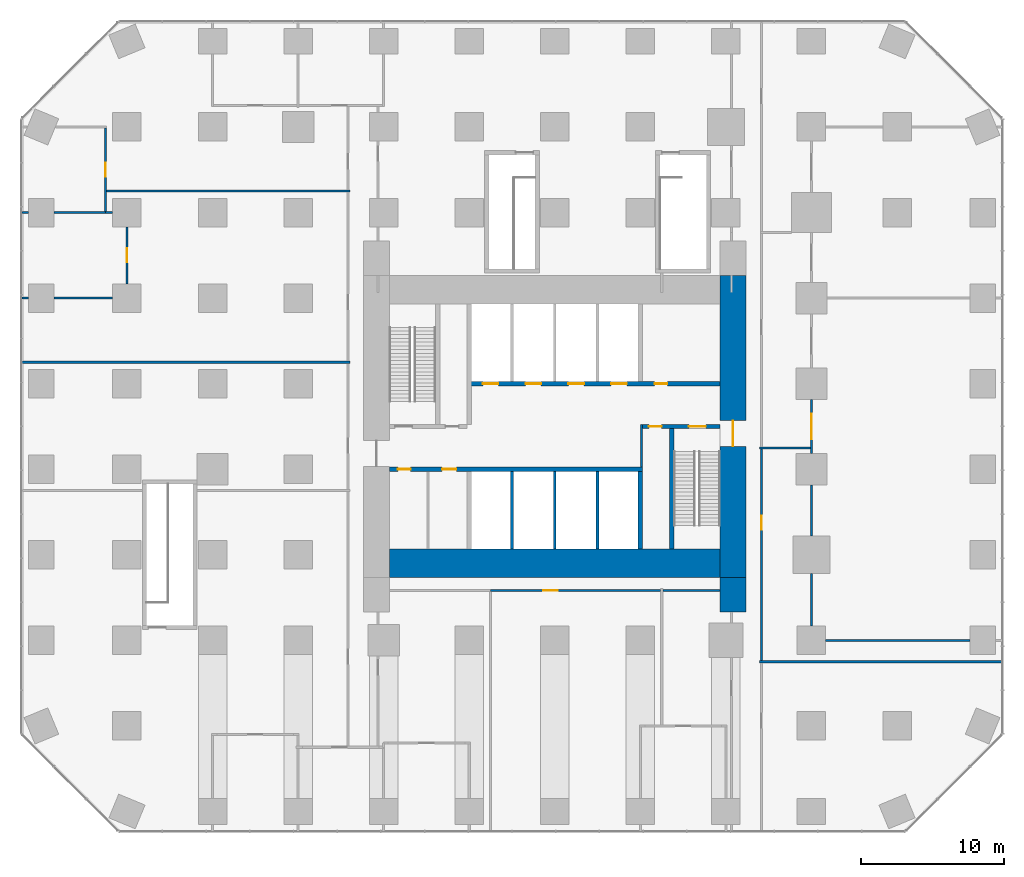
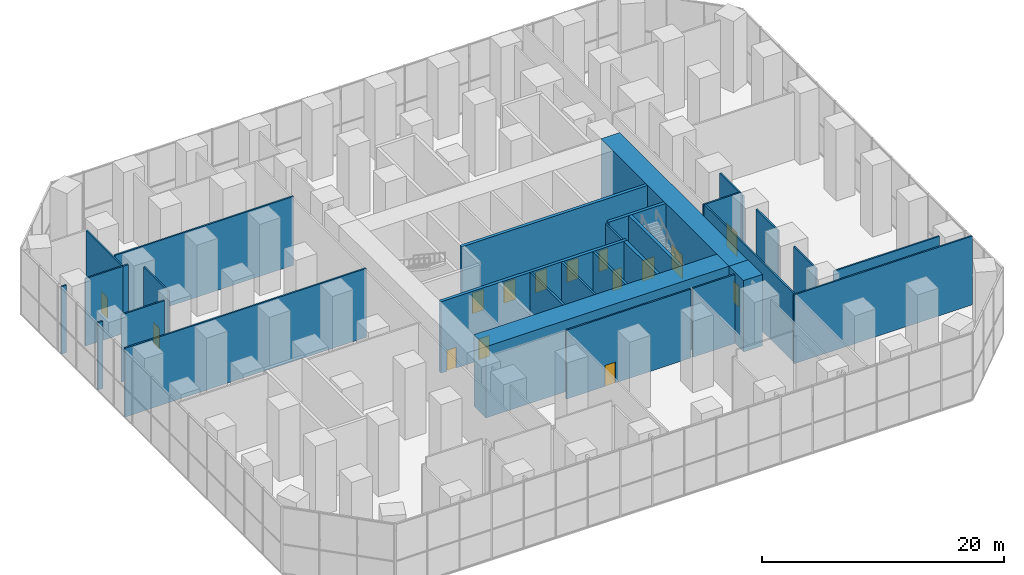
# One storey, part 13 of 16: 30 walls, 15 doors, 15 openings.
"""IFC4 building model written with IfcOpenShell, lengths in metres."""

from ifc_helpers import new_model, si_unit, direction, frame, frame_2d, origin, place, context, subcontext, project, spatial, rectangle, extrude, material, layer, layer_set, type_object, element, fill, save


model = new_model("IFC4")

# Units and contexts
model_context = context("Model", 3, precision=1e-05, world=origin(), true_north=direction((0.0, 1.0)))
body_context = subcontext(model_context, "Body", "Model", "MODEL_VIEW")
ifc_project = project(units=[si_unit("LENGTHUNIT", "METRE"), si_unit("AREAUNIT", "SQUARE_METRE"), si_unit("VOLUMEUNIT", "CUBIC_METRE"), si_unit("PLANEANGLEUNIT", "RADIAN"), si_unit("MASSUNIT", "GRAM", prefix="KILO")], contexts=[model_context])

# Site, building, storey
site_placement = place(None, origin())
site = spatial("IfcSite", under=ifc_project, at=site_placement, CompositionType="ELEMENT")
building_placement = place(site_placement, origin())
building = spatial("IfcBuilding", under=site, at=building_placement, Name="Highveld Stack Headquarters", CompositionType="ELEMENT")
storey_placement = place(building_placement, frame((0.0, 0.0, 11.0)))
storey = spatial("IfcBuildingStorey", under=building, at=storey_placement, Name="L02", CompositionType="ELEMENT", Elevation=11.0)

# Wall, opening, door
ifc_material_1 = material(Name="Concrete C60/75", Category="concrete")
ifc_layer_1 = layer(ifc_material_1, 1.800048828125)
ifc_layer_set_1 = layer_set([ifc_layer_1], Name="Concrete C60/75")
wall_type_1 = type_object("IfcWallType", Name="CORE WALL 1800 C60/75", PredefinedType="SHEAR", material=ifc_layer_set_1)
wall_1_placement = place(storey_placement, frame((18.5, -7.60009765625, 0.0), z_axis=(0.0, 0.0, 1.0), x_axis=(0.0, 1.0, 0.0)))
wall_1 = element("IfcWall", 1, at=wall_1_placement, inside=storey, type_object=wall_type_1, Name="Core wall E L02", PredefinedType="SHEAR", context=body_context, shape_type="SweptSolid", body=[
    extrude(rectangle(XDim=21.2001953125, YDim=1.800048828125, at=frame_2d((10.60009765625, 0.0))), origin(), (0.0, 0.0, 1.0), 7.199951171875),
])
opening_1_placement = place(wall_1_placement, frame((9.199951171875, 0.0, 0.0)))
opening_1 = element("IfcOpeningElement", 2, at=opening_1_placement, cuts=wall_1, Name="Opening L02-02", PredefinedType="OPENING", context=body_context, shape_type="SweptSolid", body=[
    extrude(rectangle(XDim=1.800048828125, YDim=2.39990234375, at=frame_2d((0.89990234375, 1.199951171875))), frame((0.0, 0.909912109375, 0.0), z_axis=(0.0, -1.0, 0.0), x_axis=(1.0, 0.0, 0.0)), (0.0, 0.0, 1.0), 1.820068359375),
])
ifc_material_2 = material(Name="Steel fire door", Category="steel")
door_type_1 = type_object("IfcDoorType", Name="LOBBY FIRE DOOR D4 1800x2400", OperationType="DOUBLE_DOOR_SINGLE_SWING", PredefinedType="DOOR", material=ifc_material_2)
door_1_placement = place(opening_1_placement, origin())
door_1 = element("IfcDoor", 3, at=door_1_placement, inside=storey, type_object=door_type_1, Name="Core east door L02", OperationType="DOUBLE_DOOR_SINGLE_SWING", OverallHeight=2.39990234375, OverallWidth=1.800048828125, PredefinedType="DOOR", context=body_context, shape_type="SweptSolid", body=[
    extrude(rectangle(XDim=1.800048828125, YDim=2.39990234375, at=frame_2d((0.89990234375, 1.199951171875))), frame((0.0, 0.02490234375, 0.0), z_axis=(0.0, -1.0, 0.0), x_axis=(1.0, 0.0, 0.0)), (0.0, 0.0, 1.0), 0.050048828125),
])
fill(opening_1, door_1)

# Wall
ifc_material_3 = material(Name="Concrete C60/75", Category="concrete")
ifc_layer_2 = layer(ifc_material_3, 2.0)
ifc_layer_set_2 = layer_set([ifc_layer_2], Name="Concrete C60/75")
wall_type_2 = type_object("IfcWallType", Name="CORE WALL 2000 C60/75", PredefinedType="SHEAR", material=ifc_layer_set_2)
wall_2_placement = place(storey_placement, frame((-5.60009765625, -6.60009765625, 0.0), z_axis=(0.0, 0.0, 1.0), x_axis=(1.0, 0.0, 0.0)))
element("IfcWall", 4, at=wall_2_placement, inside=storey, type_object=wall_type_2, Name="Core wall S L02", PredefinedType="SHEAR", context=body_context, shape_type="SweptSolid", body=[
    extrude(rectangle(XDim=23.2001953125, YDim=2.0, at=frame_2d((11.60009765625, 0.0))), origin(), (0.0, 0.0, 1.0), 7.199951171875),
])

# Wall, openings, doors
ifc_material_4 = material(Name="Concrete C60/75", Category="concrete")
ifc_layer_3 = layer(ifc_material_4, 0.300048828125)
ifc_layer_set_3 = layer_set([ifc_layer_3], Name="Concrete C60/75")
wall_type_3 = type_object("IfcWallType", Name="CORE WALL 300 C60/75", PredefinedType="SHEAR", material=ifc_layer_set_3)
wall_3_placement = place(storey_placement, frame((-5.60009765625, 0.0, 0.0), z_axis=(0.0, 0.0, 1.0), x_axis=(1.0, 0.0, 0.0)))
wall_3 = element("IfcWall", 5, at=wall_3_placement, inside=storey, type_object=wall_type_3, Name="Core wall I-Y0 L02", PredefinedType="SHEAR", context=body_context, shape_type="SweptSolid", body=[
    extrude(rectangle(XDim=17.75, YDim=0.300048828125, at=frame_2d((8.875, 0.0))), origin(), (0.0, 0.0, 1.0), 7.199951171875),
])
opening_2_placement = place(wall_3_placement, frame((0.60009765625, 0.0, 0.0)))
opening_2 = element("IfcOpeningElement", 6, at=opening_2_placement, cuts=wall_3, Name="Opening L02-07", PredefinedType="OPENING", context=body_context, shape_type="SweptSolid", body=[
    extrude(rectangle(XDim=0.89990234375, YDim=2.10009765625, at=frame_2d((0.449951171875, 1.050048828125))), frame((0.0, 0.159912109375, 0.0), z_axis=(0.0, -1.0, 0.0), x_axis=(1.0, 0.0, 0.0)), (0.0, 0.0, 1.0), 0.320068359375),
])
opening_3_placement = place(wall_3_placement, frame((3.699951171875, 0.0, 0.0)))
opening_3 = element("IfcOpeningElement", 7, at=opening_3_placement, cuts=wall_3, Name="Opening L02-08", PredefinedType="OPENING", context=body_context, shape_type="SweptSolid", body=[
    extrude(rectangle(XDim=1.0, YDim=2.10009765625, at=frame_2d((0.5, 1.050048828125))), frame((0.0, 0.159912109375, 0.0), z_axis=(0.0, -1.0, 0.0), x_axis=(1.0, 0.0, 0.0)), (0.0, 0.0, 1.0), 0.320068359375),
])
ifc_material_5 = material(Name="Timber door, painted", Category="wood")
door_type_2 = type_object("IfcDoorType", Name="ACCESSIBLE WC DOOR D2 1000x2100", OperationType="SINGLE_SWING_RIGHT", PredefinedType="DOOR", material=ifc_material_5)
door_2_placement = place(opening_3_placement, origin())
door_2 = element("IfcDoor", 8, at=door_2_placement, inside=storey, type_object=door_type_2, Name="Accessible WC door L02", OperationType="SINGLE_SWING_LEFT", OverallHeight=2.10009765625, OverallWidth=1.0, PredefinedType="DOOR", context=body_context, shape_type="SweptSolid", body=[
    extrude(rectangle(XDim=1.0, YDim=2.10009765625, at=frame_2d((0.5, 1.050048828125))), frame((0.0, 0.02490234375, 0.0), z_axis=(0.0, -1.0, 0.0), x_axis=(1.0, 0.0, 0.0)), (0.0, 0.0, 1.0), 0.050048828125),
])
fill(opening_3, door_2)
ifc_material_6 = material(Name="Timber door, painted", Category="wood")
door_type_3 = type_object("IfcDoorType", Name="WC DOOR D1 900x2100", OperationType="SINGLE_SWING_LEFT", PredefinedType="DOOR", material=ifc_material_6)
door_3_placement = place(opening_2_placement, origin())
door_3 = element("IfcDoor", 9, at=door_3_placement, inside=storey, type_object=door_type_3, Name="Female WC door L02", OperationType="SINGLE_SWING_LEFT", OverallHeight=2.10009765625, OverallWidth=0.89990234375, PredefinedType="DOOR", context=body_context, shape_type="SweptSolid", body=[
    extrude(rectangle(XDim=0.89990234375, YDim=2.10009765625, at=frame_2d((0.449951171875, 1.050048828125))), frame((0.0, 0.02490234375, 0.0), z_axis=(0.0, -1.0, 0.0), x_axis=(1.0, 0.0, 0.0)), (0.0, 0.0, 1.0), 0.050048828125),
])
fill(opening_2, door_3)

wall_4_placement = place(storey_placement, frame((12.14990234375, 3.0, 0.0), z_axis=(0.0, 0.0, 1.0), x_axis=(1.0, 0.0, 0.0)))
wall_4 = element("IfcWall", 10, at=wall_4_placement, inside=storey, type_object=wall_type_3, Name="Core wall I-Y3E L02", PredefinedType="SHEAR", context=body_context, shape_type="SweptSolid", body=[
    extrude(rectangle(XDim=5.4501953125, YDim=0.300048828125, at=frame_2d((2.72509765625, 0.0))), origin(), (0.0, 0.0, 1.0), 7.199951171875),
])
opening_4_placement = place(wall_4_placement, frame((3.25, 0.0, 0.0)))
opening_4 = element("IfcOpeningElement", 11, at=opening_4_placement, cuts=wall_4, Name="Opening L02-05", PredefinedType="OPENING", context=body_context, shape_type="SweptSolid", body=[
    extrude(rectangle(XDim=1.199951171875, YDim=2.10009765625, at=frame_2d((0.60009765625, 1.050048828125))), frame((0.0, 0.159912109375, 0.0), z_axis=(0.0, -1.0, 0.0), x_axis=(1.0, 0.0, 0.0)), (0.0, 0.0, 1.0), 0.320068359375),
])
opening_5_placement = place(wall_4_placement, frame((0.449951171875, 0.0, 0.0)))
opening_5 = element("IfcOpeningElement", 12, at=opening_5_placement, cuts=wall_4, Name="Opening L02-06", PredefinedType="OPENING", context=body_context, shape_type="SweptSolid", body=[
    extrude(rectangle(XDim=0.89990234375, YDim=2.10009765625, at=frame_2d((0.449951171875, 1.050048828125))), frame((0.0, 0.159912109375, 0.0), z_axis=(0.0, -1.0, 0.0), x_axis=(1.0, 0.0, 0.0)), (0.0, 0.0, 1.0), 0.320068359375),
])
ifc_material_7 = material(Name="Steel fire door", Category="steel")
door_type_4 = type_object("IfcDoorType", Name="RISER ACCESS DOOR D5 900x2100", OperationType="SINGLE_SWING_LEFT", PredefinedType="DOOR", material=ifc_material_7)
door_4_placement = place(opening_5_placement, origin())
door_4 = element("IfcDoor", 13, at=door_4_placement, inside=storey, type_object=door_type_4, Name="Riser R2 door L02", OperationType="SINGLE_SWING_LEFT", OverallHeight=2.10009765625, OverallWidth=0.89990234375, PredefinedType="DOOR", context=body_context, shape_type="SweptSolid", body=[
    extrude(rectangle(XDim=0.89990234375, YDim=2.10009765625, at=frame_2d((0.449951171875, 1.050048828125))), frame((0.0, 0.02490234375, 0.0), z_axis=(0.0, -1.0, 0.0), x_axis=(1.0, 0.0, 0.0)), (0.0, 0.0, 1.0), 0.050048828125),
])
fill(opening_5, door_4)
ifc_material_8 = material(Name="Steel fire door", Category="steel")
door_type_5 = type_object("IfcDoorType", Name="STAIR FIRE DOOR D3 1200x2100", OperationType="SINGLE_SWING_LEFT", PredefinedType="DOOR", material=ifc_material_8)
door_5_placement = place(opening_4_placement, origin())
door_5 = element("IfcDoor", 14, at=door_5_placement, inside=storey, type_object=door_type_5, Name="Stair S2 door L02", OperationType="SINGLE_SWING_RIGHT", OverallHeight=2.10009765625, OverallWidth=1.199951171875, PredefinedType="DOOR", context=body_context, shape_type="SweptSolid", body=[
    extrude(rectangle(XDim=1.199951171875, YDim=2.10009765625, at=frame_2d((0.60009765625, 1.050048828125))), frame((0.0, 0.02490234375, 0.0), z_axis=(0.0, -1.0, 0.0), x_axis=(1.0, 0.0, 0.0)), (0.0, 0.0, 1.0), 0.050048828125),
])
fill(opening_4, door_5)

wall_5_placement = place(storey_placement, frame((-0.14990234375, 6.0, 0.0), z_axis=(0.0, 0.0, 1.0), x_axis=(1.0, 0.0, 0.0)))
wall_5 = element("IfcWall", 15, at=wall_5_placement, inside=storey, type_object=wall_type_3, Name="Core wall I-Y6 L02", PredefinedType="SHEAR", context=body_context, shape_type="SweptSolid", body=[
    extrude(rectangle(XDim=17.75, YDim=0.300048828125, at=frame_2d((8.875, 0.0))), origin(), (0.0, 0.0, 1.0), 7.199951171875),
])
opening_6_placement = place(wall_5_placement, frame((13.14990234375, 0.0, 0.0)))
opening_6 = element("IfcOpeningElement", 16, at=opening_6_placement, cuts=wall_5, Name="Opening L02-09", PredefinedType="OPENING", context=body_context, shape_type="SweptSolid", body=[
    extrude(rectangle(XDim=0.89990234375, YDim=2.10009765625, at=frame_2d((0.449951171875, 1.050048828125))), frame((0.0, 0.159912109375, 0.0), z_axis=(0.0, -1.0, 0.0), x_axis=(1.0, 0.0, 0.0)), (0.0, 0.0, 1.0), 0.320068359375),
])
opening_7_placement = place(wall_5_placement, frame((1.10009765625, 0.0, 0.0)))
opening_7 = element("IfcOpeningElement", 17, at=opening_7_placement, cuts=wall_5, Name="Opening LD", PredefinedType="OPENING", context=body_context, shape_type="SweptSolid", body=[
    extrude(rectangle(XDim=1.10009765625, YDim=2.10009765625, at=frame_2d((0.550048828125, 1.050048828125))), frame((0.0, 0.159912109375, 0.0), z_axis=(0.0, -1.0, 0.0), x_axis=(1.0, 0.0, 0.0)), (0.0, 0.0, 1.0), 0.320068359375),
])
opening_8_placement = place(wall_5_placement, frame((4.10009765625, 0.0, 0.0)))
opening_8 = element("IfcOpeningElement", 18, at=opening_8_placement, cuts=wall_5, Name="Opening LD", PredefinedType="OPENING", context=body_context, shape_type="SweptSolid", body=[
    extrude(rectangle(XDim=1.10009765625, YDim=2.10009765625, at=frame_2d((0.550048828125, 1.050048828125))), frame((0.0, 0.159912109375, 0.0), z_axis=(0.0, -1.0, 0.0), x_axis=(1.0, 0.0, 0.0)), (0.0, 0.0, 1.0), 0.320068359375),
])
opening_9_placement = place(wall_5_placement, frame((7.10009765625, 0.0, 0.0)))
opening_9 = element("IfcOpeningElement", 19, at=opening_9_placement, cuts=wall_5, Name="Opening LD", PredefinedType="OPENING", context=body_context, shape_type="SweptSolid", body=[
    extrude(rectangle(XDim=1.10009765625, YDim=2.10009765625, at=frame_2d((0.550048828125, 1.050048828125))), frame((0.0, 0.159912109375, 0.0), z_axis=(0.0, -1.0, 0.0), x_axis=(1.0, 0.0, 0.0)), (0.0, 0.0, 1.0), 0.320068359375),
])
opening_10_placement = place(wall_5_placement, frame((10.10009765625, 0.0, 0.0)))
opening_10 = element("IfcOpeningElement", 20, at=opening_10_placement, cuts=wall_5, Name="Opening LD", PredefinedType="OPENING", context=body_context, shape_type="SweptSolid", body=[
    extrude(rectangle(XDim=1.10009765625, YDim=2.10009765625, at=frame_2d((0.550048828125, 1.050048828125))), frame((0.0, 0.159912109375, 0.0), z_axis=(0.0, -1.0, 0.0), x_axis=(1.0, 0.0, 0.0)), (0.0, 0.0, 1.0), 0.320068359375),
])
ifc_material_9 = material(Name="Stainless steel lift landing door", Category="steel")
door_type_6 = type_object("IfcDoorType", Name="LIFT LANDING DOOR LD 1100x2100", OperationType="DOUBLE_DOOR_SLIDING", PredefinedType="USERDEFINED", material=ifc_material_9)
door_6_placement = place(opening_7_placement, origin())
door_6 = element("IfcDoor", 21, at=door_6_placement, inside=storey, type_object=door_type_6, Name="Lift landing door FF1 L02", ObjectType="LIFT LANDING DOOR", OperationType="DOUBLE_DOOR_SLIDING", OverallHeight=2.10009765625, OverallWidth=1.10009765625, PredefinedType="USERDEFINED", context=body_context, shape_type="SweptSolid", body=[
    extrude(rectangle(XDim=1.10009765625, YDim=2.10009765625, at=frame_2d((0.550048828125, 1.050048828125))), frame((0.0, 0.02490234375, 0.0), z_axis=(0.0, -1.0, 0.0), x_axis=(1.0, 0.0, 0.0)), (0.0, 0.0, 1.0), 0.050048828125),
])
fill(opening_7, door_6)
door_7_placement = place(opening_8_placement, origin())
door_7 = element("IfcDoor", 22, at=door_7_placement, inside=storey, type_object=door_type_6, Name="Lift landing door FF2 L02", ObjectType="LIFT LANDING DOOR", OperationType="DOUBLE_DOOR_SLIDING", OverallHeight=2.10009765625, OverallWidth=1.10009765625, PredefinedType="USERDEFINED", context=body_context, shape_type="SweptSolid", body=[
    extrude(rectangle(XDim=1.10009765625, YDim=2.10009765625, at=frame_2d((0.550048828125, 1.050048828125))), frame((0.0, 0.02490234375, 0.0), z_axis=(0.0, -1.0, 0.0), x_axis=(1.0, 0.0, 0.0)), (0.0, 0.0, 1.0), 0.050048828125),
])
fill(opening_8, door_7)
door_8_placement = place(opening_9_placement, origin())
door_8 = element("IfcDoor", 23, at=door_8_placement, inside=storey, type_object=door_type_6, Name="Lift landing door A1 L02", ObjectType="LIFT LANDING DOOR", OperationType="DOUBLE_DOOR_SLIDING", OverallHeight=2.10009765625, OverallWidth=1.10009765625, PredefinedType="USERDEFINED", context=body_context, shape_type="SweptSolid", body=[
    extrude(rectangle(XDim=1.10009765625, YDim=2.10009765625, at=frame_2d((0.550048828125, 1.050048828125))), frame((0.0, 0.02490234375, 0.0), z_axis=(0.0, -1.0, 0.0), x_axis=(1.0, 0.0, 0.0)), (0.0, 0.0, 1.0), 0.050048828125),
])
fill(opening_9, door_8)
door_9_placement = place(opening_10_placement, origin())
door_9 = element("IfcDoor", 24, at=door_9_placement, inside=storey, type_object=door_type_6, Name="Lift landing door A2 L02", ObjectType="LIFT LANDING DOOR", OperationType="DOUBLE_DOOR_SLIDING", OverallHeight=2.10009765625, OverallWidth=1.10009765625, PredefinedType="USERDEFINED", context=body_context, shape_type="SweptSolid", body=[
    extrude(rectangle(XDim=1.10009765625, YDim=2.10009765625, at=frame_2d((0.550048828125, 1.050048828125))), frame((0.0, 0.02490234375, 0.0), z_axis=(0.0, -1.0, 0.0), x_axis=(1.0, 0.0, 0.0)), (0.0, 0.0, 1.0), 0.050048828125),
])
fill(opening_10, door_9)
door_10_placement = place(opening_6_placement, origin())
door_10 = element("IfcDoor", 25, at=door_10_placement, inside=storey, type_object=door_type_3, Name="Male WC door L02", OperationType="SINGLE_SWING_RIGHT", OverallHeight=2.10009765625, OverallWidth=0.89990234375, PredefinedType="DOOR", context=body_context, shape_type="SweptSolid", body=[
    extrude(rectangle(XDim=0.89990234375, YDim=2.10009765625, at=frame_2d((0.449951171875, 1.050048828125))), frame((0.0, 0.02490234375, 0.0), z_axis=(0.0, -1.0, 0.0), x_axis=(1.0, 0.0, 0.0)), (0.0, 0.0, 1.0), 0.050048828125),
])
fill(opening_6, door_10)

# Walls
wall_6_placement = place(storey_placement, frame((12.0, -5.60009765625, 0.0), z_axis=(0.0, 0.0, 1.0), x_axis=(0.0, 1.0, 0.0)))
element("IfcWall", 26, at=wall_6_placement, inside=storey, type_object=wall_type_3, Name="Core wall I-X12S L02", PredefinedType="SHEAR", context=body_context, shape_type="SweptSolid", body=[
    extrude(rectangle(XDim=5.4501953125, YDim=0.300048828125, at=frame_2d((2.72509765625, 0.0))), origin(), (0.0, 0.0, 1.0), 7.199951171875),
])
wall_7_placement = place(storey_placement, frame((14.199951171875, -5.60009765625, 0.0), z_axis=(0.0, 0.0, 1.0), x_axis=(0.0, 1.0, 0.0)))
element("IfcWall", 27, at=wall_7_placement, inside=storey, type_object=wall_type_3, Name="Core wall I-RE L02", PredefinedType="SHEAR", context=body_context, shape_type="SweptSolid", body=[
    extrude(rectangle(XDim=8.4501953125, YDim=0.300048828125, at=frame_2d((4.22509765625, 0.0))), origin(), (0.0, 0.0, 1.0), 7.199951171875),
])
ifc_material_10 = material(Name="Concrete C60/75", Category="concrete")
ifc_layer_4 = layer(ifc_material_10, 1.800048828125)
ifc_layer_set_4 = layer_set([ifc_layer_4], Name="Concrete C60/75")
wall_type_4 = type_object("IfcWallType", Name="CORE WING WALL 1800 C60/75", PredefinedType="SHEAR", material=ifc_layer_set_4)
wall_8_placement = place(storey_placement, frame((18.5, -10.0, 0.0), z_axis=(0.0, 0.0, 1.0), x_axis=(0.0, 1.0, 0.0)))
element("IfcWall", 28, at=wall_8_placement, inside=storey, type_object=wall_type_4, Name="Core wing wall ES L02", PredefinedType="SHEAR", context=body_context, shape_type="SweptSolid", body=[
    extrude(rectangle(XDim=2.39990234375, YDim=1.800048828125, at=frame_2d((1.199951171875, 0.0))), origin(), (0.0, 0.0, 1.0), 7.199951171875),
])
ifc_material_11 = material(Name="Concrete blockwork, plastered", Category="masonry")
ifc_layer_5 = layer(ifc_material_11, 0.14990234375)
ifc_layer_set_5 = layer_set([ifc_layer_5], Name="Concrete blockwork, plastered")
wall_type_5 = type_object("IfcWallType", Name="FIRE PARTITION 150 BLOCKWORK", PredefinedType="PARTITIONING", material=ifc_layer_set_5)
wall_9_placement = place(storey_placement, frame((12.074951171875, 0.14990234375, 0.0), z_axis=(0.0, 0.0, 1.0), x_axis=(0.0, 1.0, 0.0)))
element("IfcWall", 29, at=wall_9_placement, inside=storey, type_object=wall_type_5, Name="Riser R2 enclosure L02", PredefinedType="PARTITIONING", context=body_context, shape_type="SweptSolid", body=[
    extrude(rectangle(XDim=3.0, YDim=0.14990234375, at=frame_2d((1.5, 0.0))), origin(), (0.0, 0.0, 1.0), 6.949951171875),
])
ifc_material_12 = material(Name="Concrete blockwork, fair-faced", Category="masonry")
ifc_layer_6 = layer(ifc_material_12, 0.199951171875)
ifc_layer_set_6 = layer_set([ifc_layer_6], Name="Concrete blockwork, fair-faced")
wall_type_6 = type_object("IfcWallType", Name="LIFT SHAFT ENCLOSURE WALL 200 BLOCKWORK", PredefinedType="SOLIDWALL", material=ifc_layer_set_6)
for number, where, z_axis, x_axis, name in (
    (30, (3.0, -5.60009765625, 0.0), (0.0, 0.0, 1.0), (0.0, 1.0, 0.0), "Lift shaft wall L02"),
    (31, (6.0, -5.60009765625, 0.0), (0.0, 0.0, 1.0), (0.0, 1.0, 0.0), "Lift shaft wall L02"),
    (32, (9.0, -5.60009765625, 0.0), (0.0, 0.0, 1.0), (0.0, 1.0, 0.0), "Lift shaft wall L02"),
):
    element("IfcWall", number, at=place(storey_placement, frame(where, z_axis=z_axis, x_axis=x_axis)), inside=storey, type_object=wall_type_6, Name=name, PredefinedType="SOLIDWALL", context=body_context, shape_type="SweptSolid", body=[
        extrude(rectangle(XDim=5.4501953125, YDim=0.199951171875, at=frame_2d((2.72509765625, 0.0))), origin(), (0.0, 0.0, 1.0), 7.199951171875),
    ])
ifc_material_13 = material(Name="Gypsum plasterboard on steel studs", Category="steel")
ifc_layer_7 = layer(ifc_material_13, 0.14990234375)
ifc_layer_set_7 = layer_set([ifc_layer_7], Name="Gypsum plasterboard on steel studs")
wall_type_7 = type_object("IfcWallType", Name="PARTITION 150 PLASTERBOARD", PredefinedType="PARTITIONING", material=ifc_layer_set_7)
wall_10_placement = place(storey_placement, frame((25.0, -12.0, 0.0), z_axis=(0.0, 0.0, 1.0), x_axis=(1.0, 0.0, 0.0)))
element("IfcWall", 33, at=wall_10_placement, inside=storey, type_object=wall_type_7, Name="Partition Auditorium L02", PredefinedType="PARTITIONING", context=body_context, shape_type="SweptSolid", body=[
    extrude(rectangle(XDim=10.10009765625, YDim=0.14990234375, at=frame_2d((5.050048828125, 0.0))), origin(), (0.0, 0.0, 1.0), 6.800048828125),
])
wall_11_placement = place(storey_placement, frame((-31.375, 12.0, 0.0), z_axis=(0.0, 0.0, 1.0), x_axis=(1.0, 0.0, 0.0)))
element("IfcWall", 34, at=wall_11_placement, inside=storey, type_object=wall_type_7, Name="Partition Office L02", PredefinedType="PARTITIONING", context=body_context, shape_type="SweptSolid", body=[
    extrude(rectangle(XDim=0.47509765625, YDim=0.14990234375, at=frame_2d((0.237548828125, 0.0))), origin(), (0.0, 0.0, 1.0), 6.800048828125),
])
wall_12_placement = place(storey_placement, frame((-29.10009765625, 12.0, 0.0), z_axis=(0.0, 0.0, 1.0), x_axis=(1.0, 0.0, 0.0)))
element("IfcWall", 35, at=wall_12_placement, inside=storey, type_object=wall_type_7, Name="Partition Office L02", PredefinedType="PARTITIONING", context=body_context, shape_type="SweptSolid", body=[
    extrude(rectangle(XDim=4.10009765625, YDim=0.14990234375, at=frame_2d((2.050048828125, 0.0))), origin(), (0.0, 0.0, 1.0), 6.800048828125),
])
wall_13_placement = place(storey_placement, frame((-31.375, 18.0, 0.0), z_axis=(0.0, 0.0, 1.0), x_axis=(1.0, 0.0, 0.0)))
element("IfcWall", 36, at=wall_13_placement, inside=storey, type_object=wall_type_7, Name="Partition Office / Quiet room L02", PredefinedType="PARTITIONING", context=body_context, shape_type="SweptSolid", body=[
    extrude(rectangle(XDim=0.47509765625, YDim=0.14990234375, at=frame_2d((0.237548828125, 0.0))), origin(), (0.0, 0.0, 1.0), 6.800048828125),
])
wall_14_placement = place(storey_placement, frame((-29.10009765625, 18.0, 0.0), z_axis=(0.0, 0.0, 1.0), x_axis=(1.0, 0.0, 0.0)))
element("IfcWall", 37, at=wall_14_placement, inside=storey, type_object=wall_type_7, Name="Partition Office / Quiet room L02", PredefinedType="PARTITIONING", context=body_context, shape_type="SweptSolid", body=[
    extrude(rectangle(XDim=3.675048828125, YDim=0.14990234375, at=frame_2d((1.83740234375, 0.0))), origin(), (0.0, 0.0, 1.0), 6.800048828125),
])
wall_15_placement = place(storey_placement, frame((-25.5, 18.0, 0.0), z_axis=(0.0, 0.0, 1.0), x_axis=(1.0, 0.0, 0.0)))
element("IfcWall", 38, at=wall_15_placement, inside=storey, type_object=wall_type_7, Name="Partition Office L02", PredefinedType="PARTITIONING", context=body_context, shape_type="SweptSolid", body=[
    extrude(rectangle(XDim=0.5, YDim=0.14990234375, at=frame_2d((0.25, 0.0))), origin(), (0.0, 0.0, 1.0), 6.800048828125),
])

# Wall, opening, door
wall_16_placement = place(storey_placement, frame((-25.5, 18.074951171875, 0.0), z_axis=(0.0, 0.0, 1.0), x_axis=(0.0, 1.0, 0.0)))
wall_16 = element("IfcWall", 39, at=wall_16_placement, inside=storey, type_object=wall_type_7, Name="Partition Quiet room L02", PredefinedType="PARTITIONING", context=body_context, shape_type="SweptSolid", body=[
    extrude(rectangle(XDim=5.85009765625, YDim=0.14990234375, at=frame_2d((2.925048828125, 0.0))), origin(), (0.0, 0.0, 1.0), 6.800048828125),
])
opening_11_placement = place(wall_16_placement, frame((2.425048828125, 0.0, 0.0)))
opening_11 = element("IfcOpeningElement", 40, at=opening_11_placement, cuts=wall_16, Name="Opening L02-22", PredefinedType="OPENING", context=body_context, shape_type="SweptSolid", body=[
    extrude(rectangle(XDim=1.0, YDim=2.10009765625, at=frame_2d((0.5, 1.050048828125))), frame((0.0, 0.0849609375, 0.0), z_axis=(0.0, -1.0, 0.0), x_axis=(1.0, 0.0, 0.0)), (0.0, 0.0, 1.0), 0.169921875),
])
ifc_material_14 = material(Name="Timber door, oiled ash", Category="wood")
door_type_7 = type_object("IfcDoorType", Name="ROOM DOOR D6 1000x2100", OperationType="SINGLE_SWING_LEFT", PredefinedType="DOOR", material=ifc_material_14)
door_11_placement = place(opening_11_placement, origin())
door_11 = element("IfcDoor", 41, at=door_11_placement, inside=storey, type_object=door_type_7, Name="Quiet room door 1 L02", OperationType="SINGLE_SWING_RIGHT", OverallHeight=2.10009765625, OverallWidth=1.0, PredefinedType="DOOR", context=body_context, shape_type="SweptSolid", body=[
    extrude(rectangle(XDim=1.0, YDim=2.10009765625, at=frame_2d((0.5, 1.050048828125))), frame((0.0, 0.02490234375, 0.0), z_axis=(0.0, -1.0, 0.0), x_axis=(1.0, 0.0, 0.0)), (0.0, 0.0, 1.0), 0.050048828125),
])
fill(opening_11, door_11)

wall_17_placement = place(storey_placement, frame((-24.0, 13.0, 0.0), z_axis=(0.0, 0.0, 1.0), x_axis=(0.0, 1.0, 0.0)))
wall_17 = element("IfcWall", 42, at=wall_17_placement, inside=storey, type_object=wall_type_7, Name="Partition Office L02", PredefinedType="PARTITIONING", context=body_context, shape_type="SweptSolid", body=[
    extrude(rectangle(XDim=4.0, YDim=0.14990234375, at=frame_2d((2.0, 0.0))), origin(), (0.0, 0.0, 1.0), 6.800048828125),
])
opening_12_placement = place(wall_17_placement, frame((1.5, 0.0, 0.0)))
opening_12 = element("IfcOpeningElement", 43, at=opening_12_placement, cuts=wall_17, Name="Opening L02-21", PredefinedType="OPENING", context=body_context, shape_type="SweptSolid", body=[
    extrude(rectangle(XDim=1.0, YDim=2.10009765625, at=frame_2d((0.5, 1.050048828125))), frame((0.0, 0.0849609375, 0.0), z_axis=(0.0, -1.0, 0.0), x_axis=(1.0, 0.0, 0.0)), (0.0, 0.0, 1.0), 0.169921875),
])
door_12_placement = place(opening_12_placement, origin())
door_12 = element("IfcDoor", 44, at=door_12_placement, inside=storey, type_object=door_type_7, Name="Office door 1 L02", OperationType="SINGLE_SWING_RIGHT", OverallHeight=2.10009765625, OverallWidth=1.0, PredefinedType="DOOR", context=body_context, shape_type="SweptSolid", body=[
    extrude(rectangle(XDim=1.0, YDim=2.10009765625, at=frame_2d((0.5, 1.050048828125))), frame((0.0, 0.02490234375, 0.0), z_axis=(0.0, -1.0, 0.0), x_axis=(1.0, 0.0, 0.0)), (0.0, 0.0, 1.0), 0.050048828125),
])
fill(opening_12, door_12)

# Walls
wall_18_placement = place(storey_placement, frame((24.0, -11.0, 0.0), z_axis=(0.0, 0.0, 1.0), x_axis=(0.0, 1.0, 0.0)))
element("IfcWall", 45, at=wall_18_placement, inside=storey, type_object=wall_type_7, Name="Partition Auditorium L02", PredefinedType="PARTITIONING", context=body_context, shape_type="SweptSolid", body=[
    extrude(rectangle(XDim=3.699951171875, YDim=0.14990234375, at=frame_2d((1.85009765625, 0.0))), origin(), (0.0, 0.0, 1.0), 6.800048828125),
])
wall_19_placement = place(storey_placement, frame((24.0, -4.699951171875, 0.0), z_axis=(0.0, 0.0, 1.0), x_axis=(0.0, 1.0, 0.0)))
element("IfcWall", 46, at=wall_19_placement, inside=storey, type_object=wall_type_7, Name="Partition Auditorium L02", PredefinedType="PARTITIONING", context=body_context, shape_type="SweptSolid", body=[
    extrude(rectangle(XDim=3.599853515625, YDim=0.14990234375, at=frame_2d((1.7998046875, 0.0))), origin(), (0.0, 0.0, 1.0), 6.800048828125),
])

# Wall, opening, door
wall_20_placement = place(storey_placement, frame((24.0, 1.10009765625, 0.0), z_axis=(0.0, 0.0, 1.0), x_axis=(0.0, 1.0, 0.0)))
wall_20 = element("IfcWall", 47, at=wall_20_placement, inside=storey, type_object=wall_type_7, Name="Partition Auditorium L02", PredefinedType="PARTITIONING", context=body_context, shape_type="SweptSolid", body=[
    extrude(rectangle(XDim=3.7998046875, YDim=0.14990234375, at=frame_2d((1.89990234375, 0.0))), origin(), (0.0, 0.0, 1.0), 6.800048828125),
])
opening_13_placement = place(wall_20_placement, frame((1.0, 0.0, 0.0)))
opening_13 = element("IfcOpeningElement", 48, at=opening_13_placement, cuts=wall_20, Name="Opening L02-13", PredefinedType="OPENING", context=body_context, shape_type="SweptSolid", body=[
    extrude(rectangle(XDim=1.800048828125, YDim=2.39990234375, at=frame_2d((0.89990234375, 1.199951171875))), frame((0.0, 0.0849609375, 0.0), z_axis=(0.0, -1.0, 0.0), x_axis=(1.0, 0.0, 0.0)), (0.0, 0.0, 1.0), 0.169921875),
])
ifc_material_15 = material(Name="Timber door, oiled ash", Category="wood")
door_type_8 = type_object("IfcDoorType", Name="DOUBLE DOOR D10 1800x2400", OperationType="DOUBLE_DOOR_SINGLE_SWING", PredefinedType="DOOR", material=ifc_material_15)
door_13_placement = place(opening_13_placement, origin())
door_13 = element("IfcDoor", 49, at=door_13_placement, inside=storey, type_object=door_type_8, Name="Auditorium door 1 L02", OperationType="DOUBLE_DOOR_SINGLE_SWING", OverallHeight=2.39990234375, OverallWidth=1.800048828125, PredefinedType="DOOR", context=body_context, shape_type="SweptSolid", body=[
    extrude(rectangle(XDim=1.800048828125, YDim=2.39990234375, at=frame_2d((0.89990234375, 1.199951171875))), frame((0.0, 0.02490234375, 0.0), z_axis=(0.0, -1.0, 0.0), x_axis=(1.0, 0.0, 0.0)), (0.0, 0.0, 1.0), 0.050048828125),
])
fill(opening_13, door_13)

# Walls
wall_21_placement = place(storey_placement, frame((-31.375, 7.5, 0.0), z_axis=(0.0, 0.0, 1.0), x_axis=(1.0, 0.0, 0.0)))
element("IfcWall", 50, at=wall_21_placement, inside=storey, type_object=wall_type_7, Name="Partition office neighbourhood L02", PredefinedType="PARTITIONING", context=body_context, shape_type="SweptSolid", body=[
    extrude(rectangle(XDim=23.02490234375, YDim=0.14990234375, at=frame_2d((11.512451171875, 0.0))), origin(), (0.0, 0.0, 1.0), 6.949951171875),
])
wall_22_placement = place(storey_placement, frame((-25.425048828125, 19.5, 0.0), z_axis=(0.0, 0.0, 1.0), x_axis=(1.0, 0.0, 0.0)))
element("IfcWall", 51, at=wall_22_placement, inside=storey, type_object=wall_type_7, Name="Partition office neighbourhood L02", PredefinedType="PARTITIONING", context=body_context, shape_type="SweptSolid", body=[
    extrude(rectangle(XDim=17.074951171875, YDim=0.14990234375, at=frame_2d((8.53759765625, 0.0))), origin(), (0.0, 0.0, 1.0), 6.949951171875),
])

# Wall, opening, door
wall_23_placement = place(storey_placement, frame((13.425048828125, -8.5, 0.0), z_axis=(0.0, 0.0, 1.0), x_axis=(-1.0, 0.0, 0.0)))
wall_23 = element("IfcWall", 52, at=wall_23_placement, inside=storey, type_object=wall_type_7, Name="Partition office neighbourhood L02", PredefinedType="PARTITIONING", context=body_context, shape_type="SweptSolid", body=[
    extrude(rectangle(XDim=11.925048828125, YDim=0.14990234375, at=frame_2d((5.96240234375, 0.0))), origin(), (0.0, 0.0, 1.0), 6.949951171875),
])
opening_14_placement = place(wall_23_placement, frame((7.22509765625, 0.0, 0.0)))
opening_14 = element("IfcOpeningElement", 53, at=opening_14_placement, cuts=wall_23, Name="Opening L02-37", PredefinedType="OPENING", context=body_context, shape_type="SweptSolid", body=[
    extrude(rectangle(XDim=1.0, YDim=2.10009765625, at=frame_2d((0.5, 1.050048828125))), frame((0.0, 0.0849609375, 0.0), z_axis=(0.0, -1.0, 0.0), x_axis=(1.0, 0.0, 0.0)), (0.0, 0.0, 1.0), 0.169921875),
])
door_14_placement = place(opening_14_placement, origin())
door_14 = element("IfcDoor", 54, at=door_14_placement, inside=storey, type_object=door_type_7, Name="Office neighbourhood door L02", OperationType="SINGLE_SWING_RIGHT", OverallHeight=2.10009765625, OverallWidth=1.0, PredefinedType="DOOR", context=body_context, shape_type="SweptSolid", body=[
    extrude(rectangle(XDim=1.0, YDim=2.10009765625, at=frame_2d((0.5, 1.050048828125))), frame((0.0, 0.02490234375, 0.0), z_axis=(0.0, -1.0, 0.0), x_axis=(1.0, 0.0, 0.0)), (0.0, 0.0, 1.0), 0.050048828125),
])
fill(opening_14, door_14)

# Wall
wall_24_placement = place(storey_placement, frame((13.574951171875, -8.5, 0.0), z_axis=(0.0, 0.0, 1.0), x_axis=(1.0, 0.0, 0.0)))
element("IfcWall", 55, at=wall_24_placement, inside=storey, type_object=wall_type_7, Name="Partition office neighbourhood L02", PredefinedType="PARTITIONING", context=body_context, shape_type="SweptSolid", body=[
    extrude(rectangle(XDim=4.025146484375, YDim=0.14990234375, at=frame_2d((2.0126953125, 0.0))), origin(), (0.0, 0.0, 1.0), 6.949951171875),
])

# Wall, opening, door
wall_25_placement = place(storey_placement, frame((20.5, -13.425048828125, 0.0), z_axis=(0.0, 0.0, 1.0), x_axis=(0.0, 1.0, 0.0)))
wall_25 = element("IfcWall", 56, at=wall_25_placement, inside=storey, type_object=wall_type_7, Name="Partition office neighbourhood L02", PredefinedType="PARTITIONING", context=body_context, shape_type="SweptSolid", body=[
    extrude(rectangle(XDim=14.85009765625, YDim=0.14990234375, at=frame_2d((7.425048828125, 0.0))), origin(), (0.0, 0.0, 1.0), 6.949951171875),
])
opening_15_placement = place(wall_25_placement, frame((9.175048828125, 0.0, 0.0)))
opening_15 = element("IfcOpeningElement", 57, at=opening_15_placement, cuts=wall_25, Name="Opening L02-29", PredefinedType="OPENING", context=body_context, shape_type="SweptSolid", body=[
    extrude(rectangle(XDim=1.0, YDim=2.10009765625, at=frame_2d((0.5, 1.050048828125))), frame((0.0, 0.0849609375, 0.0), z_axis=(0.0, -1.0, 0.0), x_axis=(1.0, 0.0, 0.0)), (0.0, 0.0, 1.0), 0.169921875),
])
door_15_placement = place(opening_15_placement, origin())
door_15 = element("IfcDoor", 58, at=door_15_placement, inside=storey, type_object=door_type_7, Name="Office neighbourhood door L02", OperationType="SINGLE_SWING_RIGHT", OverallHeight=2.10009765625, OverallWidth=1.0, PredefinedType="DOOR", context=body_context, shape_type="SweptSolid", body=[
    extrude(rectangle(XDim=1.0, YDim=2.10009765625, at=frame_2d((0.5, 1.050048828125))), frame((0.0, 0.02490234375, 0.0), z_axis=(0.0, -1.0, 0.0), x_axis=(1.0, 0.0, 0.0)), (0.0, 0.0, 1.0), 0.050048828125),
])
fill(opening_15, door_15)

# Walls
wall_26_placement = place(storey_placement, frame((20.35009765625, -13.5, 0.0), z_axis=(0.0, 0.0, 1.0), x_axis=(1.0, 0.0, 0.0)))
element("IfcWall", 59, at=wall_26_placement, inside=storey, type_object=wall_type_7, Name="Partition office neighbourhood L02", PredefinedType="PARTITIONING", context=body_context, shape_type="SweptSolid", body=[
    extrude(rectangle(XDim=17.02490234375, YDim=0.14990234375, at=frame_2d((8.512451171875, 0.0))), origin(), (0.0, 0.0, 1.0), 6.949951171875),
])
wall_27_placement = place(storey_placement, frame((20.35009765625, 1.5, 0.0), z_axis=(0.0, 0.0, 1.0), x_axis=(1.0, 0.0, 0.0)))
element("IfcWall", 60, at=wall_27_placement, inside=storey, type_object=wall_type_7, Name="Partition office neighbourhood L02", PredefinedType="PARTITIONING", context=body_context, shape_type="SweptSolid", body=[
    extrude(rectangle(XDim=3.574951171875, YDim=0.14990234375, at=frame_2d((1.78759765625, 0.0))), origin(), (0.0, 0.0, 1.0), 6.949951171875),
])

save(model, "model.ifc")
